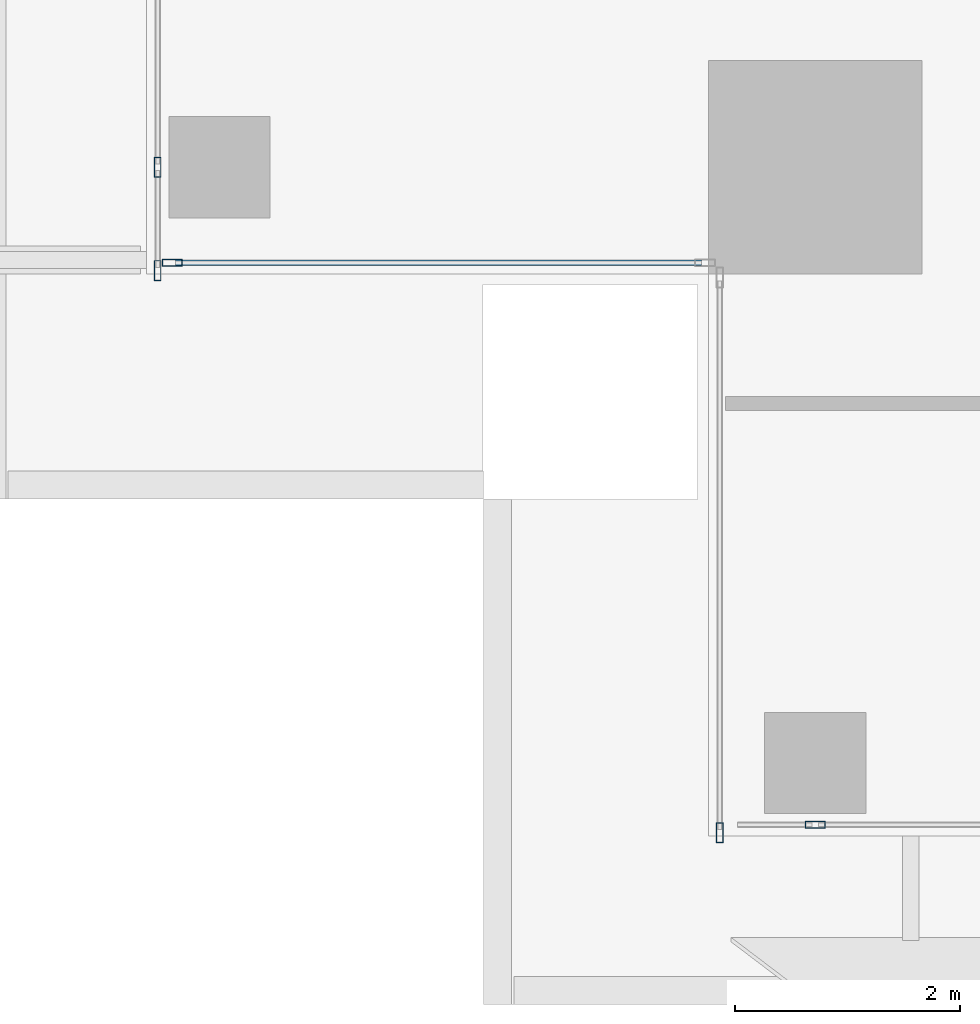
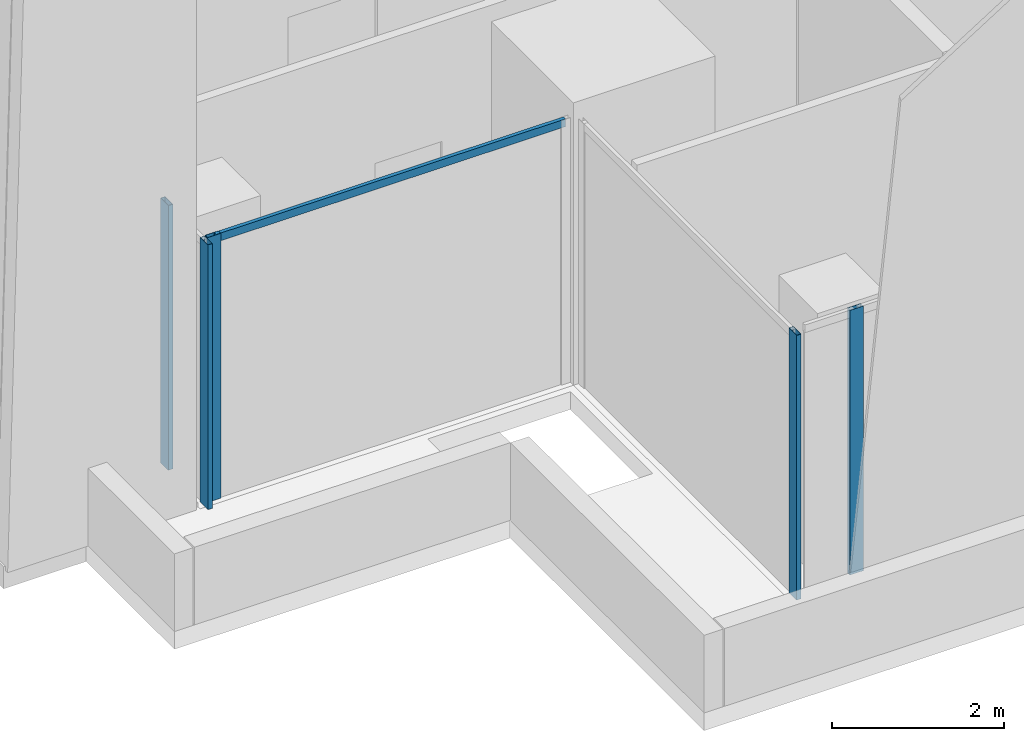
# One storey, part 2 of 33: 6 members, 4 elements without a shape of their own.
"""IFC4 building model written with IfcOpenShell, lengths in metres."""

from ifc_helpers import new_model, si_unit, direction, frame, origin, origin_2d, place, context, subcontext, project, spatial, hollow_rectangle, extrude, source, transform, mapped, material, material_profile, profile_set, type_object, element, aggregate, save


model = new_model("IFC4")

# Units and contexts
model_context = context("Model", 3, precision=1e-05, world=origin(), true_north=direction((0.0, 1.0)))
body_context = subcontext(model_context, "Body", "Model", "MODEL_VIEW")
ifc_project = project(units=[si_unit("LENGTHUNIT", "METRE"), si_unit("AREAUNIT", "SQUARE_METRE"), si_unit("VOLUMEUNIT", "CUBIC_METRE"), si_unit("PLANEANGLEUNIT", "RADIAN"), si_unit("MASSUNIT", "GRAM", prefix="KILO")], contexts=[model_context])

# Site, building, storey
site_placement = place(None, origin())
site = spatial("IfcSite", under=ifc_project, at=site_placement, CompositionType="ELEMENT")
building_placement = place(site_placement, origin())
building = spatial("IfcBuilding", under=site, at=building_placement, Name="Khomas Fold Tower", CompositionType="ELEMENT")
storey_placement = place(building_placement, frame((0.0, 0.0, 222.199951171875)))
storey = spatial("IfcBuildingStorey", under=building, at=storey_placement, Name="L49", CompositionType="ELEMENT", Elevation=222.199951171875)

# Curtain wall, member
ifc_material_1 = material(Name="Aluminium framed double glazing", Category="aluminium")
curtain_wall_type = type_object("IfcCurtainWallType", Name="SK-Unitised clear-glass wall, office floors CW2", PredefinedType="NOTDEFINED", material=ifc_material_1)
curtain_wall_1_placement = place(storey_placement, origin())
curtain_wall_1 = element("IfcCurtainWall", 1, at=curtain_wall_1_placement, inside=storey, type_object=curtain_wall_type, Name="CW2 run L49 00-0", PredefinedType="NOTDEFINED")
ifc_material_2 = material(Name="Aluminium", Category="aluminium")
ifc_material_profile_1 = material_profile(ifc_material_2, hollow_rectangle(XDim=0.06005859375, YDim=0.179931640625, WallThickness=0.00390625, at=origin_2d()), Name="SK-Unitised clear-glass wall, office floors mullion CW2-M")
ifc_profile_set_1 = profile_set([ifc_material_profile_1], Name="Aluminium")
member_type_1 = type_object("IfcMemberType", Name="SK-Unitised clear-glass wall, office floors mullion CW2-M", PredefinedType="MULLION", material=ifc_profile_set_1)
shared_shape_1 = source(origin(), body_context, "Body", "SweptSolid", [
    extrude(hollow_rectangle(XDim=0.06005859375, YDim=0.179931640625, WallThickness=0.00390625, at=origin_2d()), origin(), (0.0, 0.0, 1.0), 3.75),
])
member_1_placement = place(storey_placement, frame((10.449951171875, 4.60009765625, 0.0), z_axis=(0.0, 0.0, 1.0), x_axis=(0.0, 1.0, 0.0)))
member_1 = element("IfcMember", 2, at=member_1_placement, type_object=member_type_1, Name="CW2 mullion 2", PredefinedType="MULLION", context=body_context, shape_type="MappedRepresentation", body=[
    mapped(shared_shape_1, transform((0.0, 0.0, 0.0))),
])
aggregate(curtain_wall_1, [member_1])

# Curtain wall, members
curtain_wall_2_placement = place(storey_placement, origin())
curtain_wall_2 = element("IfcCurtainWall", 3, at=curtain_wall_2_placement, inside=storey, type_object=curtain_wall_type, Name="CW2 run L49 09-0", PredefinedType="NOTDEFINED")
member_2_placement = place(storey_placement, frame((4.60009765625, 10.449951171875, 0.0), z_axis=(0.0, 0.0, 1.0), x_axis=(1.0, 0.0, 0.0)))
member_2 = element("IfcMember", 4, at=member_2_placement, type_object=member_type_1, Name="CW2 mullion 6", PredefinedType="MULLION", context=body_context, shape_type="MappedRepresentation", body=[
    mapped(shared_shape_1, transform((0.0, 0.0, 0.0))),
])
member_3_placement = place(storey_placement, frame((4.60009765625, 9.530029296875, 0.0), z_axis=(0.0, 0.0, 1.0), x_axis=(1.0, 0.0, 0.0)))
member_3 = element("IfcMember", 5, at=member_3_placement, type_object=member_type_1, Name="CW2 mullion 7", PredefinedType="MULLION", context=body_context, shape_type="MappedRepresentation", body=[
    mapped(shared_shape_1, transform((0.0, 0.0, 0.0))),
])
aggregate(curtain_wall_2, [member_2, member_3])

# Curtain wall, member
curtain_wall_3_placement = place(storey_placement, origin())
curtain_wall_3 = element("IfcCurtainWall", 6, at=curtain_wall_3_placement, inside=storey, type_object=curtain_wall_type, Name="CW2 corner return L49 10", PredefinedType="NOTDEFINED")
member_4_placement = place(storey_placement, frame((4.72998046875, 9.60009765625, 0.0), z_axis=(0.0, 0.0, 1.0), x_axis=(0.0, 1.0, 0.0)))
member_4 = element("IfcMember", 7, at=member_4_placement, type_object=member_type_1, Name="CW2 mullion 1", PredefinedType="MULLION", context=body_context, shape_type="MappedRepresentation", body=[
    mapped(shared_shape_1, transform((0.0, 0.0, 0.0))),
])

curtain_wall_4_placement = place(storey_placement, origin())
curtain_wall_4 = element("IfcCurtainWall", 8, at=curtain_wall_4_placement, inside=storey, type_object=curtain_wall_type, Name="CW2 corner return L49 11", PredefinedType="NOTDEFINED")
member_5_placement = place(storey_placement, frame((9.60009765625, 4.530029296875, 0.0), z_axis=(0.0, 0.0, 1.0), x_axis=(1.0, 0.0, 0.0)))
member_5 = element("IfcMember", 9, at=member_5_placement, type_object=member_type_1, Name="CW2 mullion 2", PredefinedType="MULLION", context=body_context, shape_type="MappedRepresentation", body=[
    mapped(shared_shape_1, transform((0.0, 0.0, 0.0))),
])
aggregate(curtain_wall_4, [member_5])

# Member
ifc_material_3 = material(Name="Aluminium", Category="aluminium")
ifc_material_profile_2 = material_profile(ifc_material_3, hollow_rectangle(XDim=0.050048828125, YDim=0.110107421875, WallThickness=0.00390625, at=origin_2d()), Name="SK-Unitised clear-glass wall, office floors transom CW2-T")
ifc_profile_set_2 = profile_set([ifc_material_profile_2], Name="Aluminium")
member_type_2 = type_object("IfcMemberType", Name="SK-Unitised clear-glass wall, office floors transom CW2-T", PredefinedType="USERDEFINED", material=ifc_profile_set_2)
shared_shape_2 = source(origin(), body_context, "Body", "SweptSolid", [
    extrude(hollow_rectangle(XDim=0.050048828125, YDim=0.110107421875, WallThickness=0.00390625, at=origin_2d()), origin(), (0.0, 0.0, 1.0), 4.679931640625),
])
member_6_placement = place(storey_placement, frame((4.760009765625, 9.60009765625, 3.695068359375), z_axis=(1.0, 0.0, 0.0), x_axis=(0.0, 1.0, 0.0)))
member_6 = element("IfcMember", 10, at=member_6_placement, type_object=member_type_2, Name="CW2 transom 1", ObjectType="TRANSOM", PredefinedType="USERDEFINED", context=body_context, shape_type="MappedRepresentation", body=[
    mapped(shared_shape_2, transform((0.0, 0.0, 0.0))),
])

aggregate(curtain_wall_3, [member_4, member_6])

save(model, "model.ifc")
